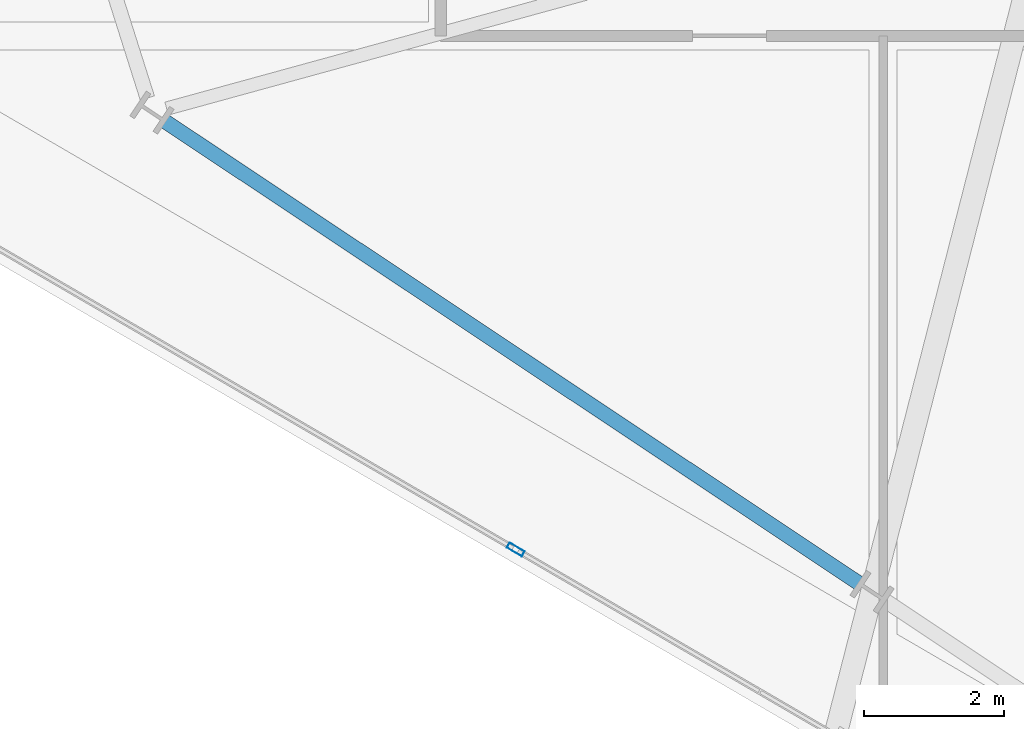
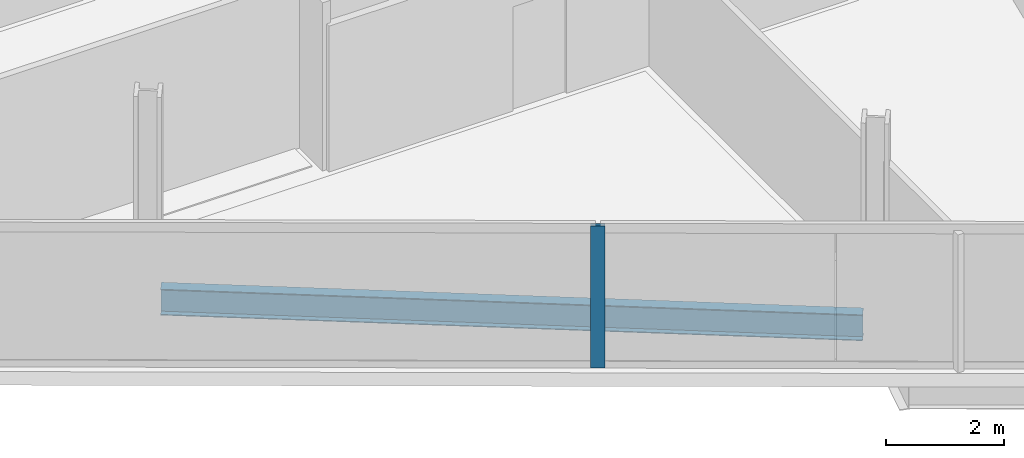
# One storey, part 2 of 29: 1 beam, 1 member, 1 element without a shape of its own.
"""IFC4 building model written with IfcOpenShell, lengths in metres."""

from ifc_helpers import new_model, si_unit, direction, frame, origin, origin_2d, place, context, subcontext, project, spatial, hollow_rectangle, i_section, extrude, material, material_profile, profile_set, type_object, element, aggregate, save


model = new_model("IFC4")

# Units and contexts
model_context = context("Model", 3, precision=1e-05, world=origin(), true_north=direction((0.0, 1.0)))
body_context = subcontext(model_context, "Body", "Model", "MODEL_VIEW")
ifc_project = project(units=[si_unit("LENGTHUNIT", "METRE"), si_unit("AREAUNIT", "SQUARE_METRE"), si_unit("VOLUMEUNIT", "CUBIC_METRE"), si_unit("PLANEANGLEUNIT", "RADIAN"), si_unit("MASSUNIT", "GRAM", prefix="KILO")], contexts=[model_context])

# Site, building, storey
site_placement = place(None, origin())
site = spatial("IfcSite", under=ifc_project, at=site_placement, CompositionType="ELEMENT")
building_placement = place(site_placement, origin())
building = spatial("IfcBuilding", under=site, at=building_placement, Name="Haldenkirk Collegiate Tower", CompositionType="ELEMENT")
storey_placement = place(building_placement, frame((0.0, 0.0, 228.449951171875)))
storey = spatial("IfcBuildingStorey", under=building, at=storey_placement, Name="L57", CompositionType="ELEMENT", Elevation=228.449951171875)

# Beam
ifc_material_1 = material(Name="Steel ASTM A992 Grade 50", Category="steel")
ifc_material_profile_1 = material_profile(ifc_material_1, i_section(OverallWidth=0.2099609375, OverallDepth=0.537109375, WebThickness=0.010986328125, FlangeThickness=0.017333984375, at=origin_2d()), Name="W21X68")
ifc_profile_set_1 = profile_set([ifc_material_profile_1], Name="Steel ASTM A992 Grade 50")
beam_type = type_object("IfcBeamType", Name="BM-SPANDREL-W21X68", PredefinedType="SPANDREL", material=ifc_profile_set_1)
beam_placement = place(storey_placement, frame((14.26904296875, 14.337158203125, -0.54833984375), z_axis=(0.832438805455, -0.554116986901, 0.0), x_axis=(0.554116986901, 0.832438805455, 0.0)))
element("IfcBeam", 1, at=beam_placement, inside=storey, type_object=beam_type, Name="L57 perimeter spandrel beam 14", PredefinedType="SPANDREL", context=body_context, shape_type="SweptSolid", body=[
    extrude(i_section(OverallWidth=0.2099609375, OverallDepth=0.537109375, WebThickness=0.010986328125, FlangeThickness=0.017333984375, at=origin_2d()), origin(), (0.0, 0.0, 1.0), 11.885009765625),
])

# Curtain wall, member
ifc_material_2 = material(Name="Anodised architectural bronze aluminium", Category="aluminium")
curtain_wall_type = type_object("IfcCurtainWallType", Name="CW-SYS1B-CONVEX-HI", PredefinedType="USERDEFINED", material=ifc_material_2)
curtain_wall_placement = place(storey_placement, origin())
curtain_wall = element("IfcCurtainWall", 2, at=curtain_wall_placement, inside=storey, type_object=curtain_wall_type, Name="L57 Upper tower high-wind convex bronze unitised curtain wall", ObjectType="UNITISED CURTAIN WALL", PredefinedType="USERDEFINED")
ifc_material_profile_2 = material_profile(ifc_material_2, hollow_rectangle(XDim=0.0849609375, YDim=0.25, WallThickness=0.0048828125, at=origin_2d()), Name="CW-MUL-1B")
ifc_profile_set_2 = profile_set([ifc_material_profile_2], Name="Anodised architectural bronze aluminium")
member_type = type_object("IfcMemberType", Name="CW-MUL-1B", PredefinedType="MULLION", material=ifc_profile_set_2)
member_placement = place(storey_placement, frame((19.26806640625, 8.2353515625, 0.0), z_axis=(0.0, 0.0, 1.0), x_axis=(-0.503017981006, -0.864275945972, 0.0)))
member = element("IfcMember", 3, at=member_placement, type_object=member_type, Name="CW-1B mullion 3", PredefinedType="MULLION", context=body_context, shape_type="SweptSolid", body=[
    extrude(hollow_rectangle(XDim=0.0849609375, YDim=0.25, WallThickness=0.0048828125, at=origin_2d()), origin(), (0.0, 0.0, 1.0), 2.927978515625),
])
aggregate(curtain_wall, [member])

save(model, "model.ifc")
